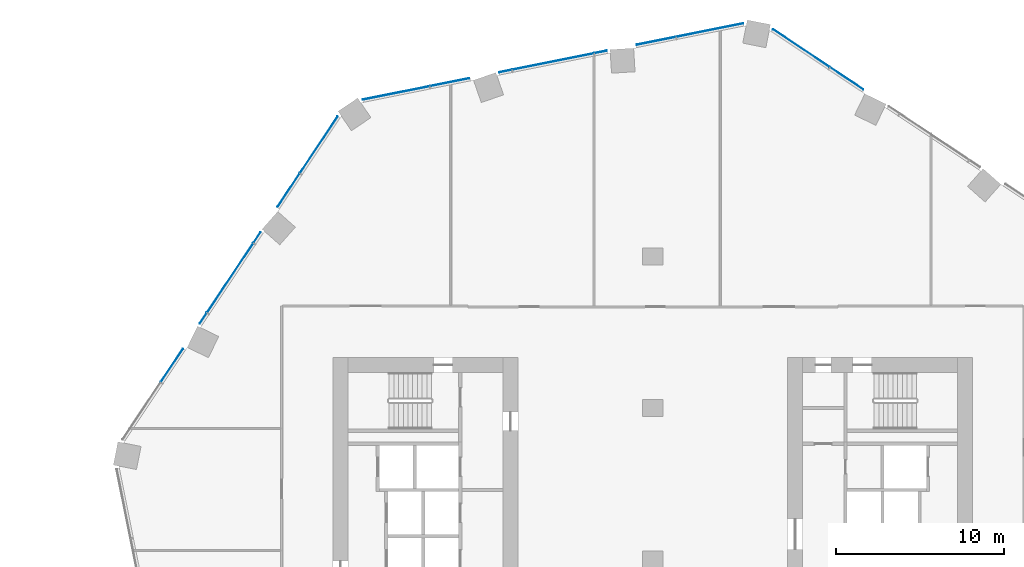
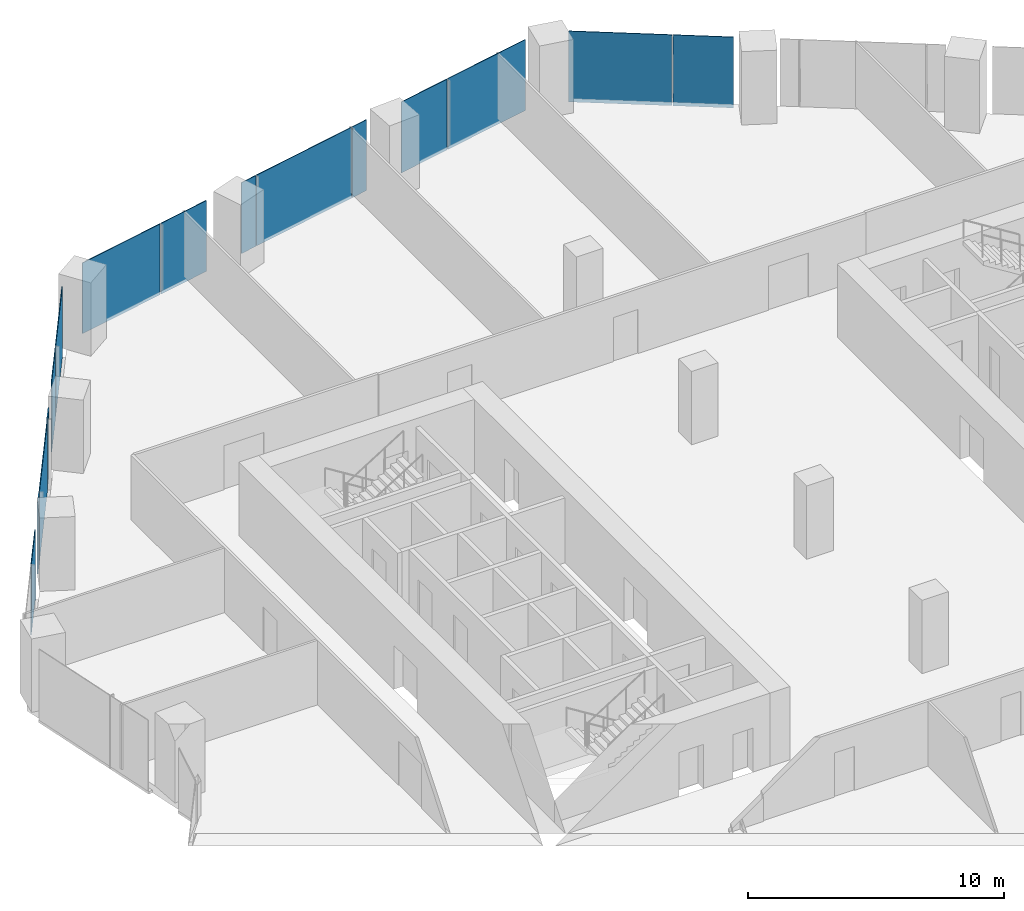
# One storey, part 24 of 38: 15 plates, 3 elements without a shape of their own.
"""IFC4 building model written with IfcOpenShell, lengths in metres."""

from ifc_helpers import new_model, si_unit, direction, frame, origin, origin_2d, place, context, subcontext, project, spatial, rectangle, extrude, material, layer, layer_set, type_object, element, aggregate, save


model = new_model("IFC4")

# Units and contexts
model_context = context("Model", 3, precision=1e-05, world=origin(), true_north=direction((0.0, 1.0)))
body_context = subcontext(model_context, "Body", "Model", "MODEL_VIEW")
ifc_project = project(units=[si_unit("LENGTHUNIT", "METRE"), si_unit("AREAUNIT", "SQUARE_METRE"), si_unit("VOLUMEUNIT", "CUBIC_METRE"), si_unit("PLANEANGLEUNIT", "RADIAN"), si_unit("MASSUNIT", "GRAM", prefix="KILO")], contexts=[model_context])

# Site, building, storey
site_placement = place(None, origin())
site = spatial("IfcSite", under=ifc_project, at=site_placement, CompositionType="ELEMENT")
building_placement = place(site_placement, origin())
building = spatial("IfcBuilding", under=site, at=building_placement, Name="Orlundy Tower", CompositionType="ELEMENT")
storey_placement = place(building_placement, frame((0.0, 0.0, 62.300048828125)))
storey = spatial("IfcBuildingStorey", under=building, at=storey_placement, Name="L14", CompositionType="ELEMENT", Elevation=62.300048828125)

# Curtain wall, plates
ifc_material_1 = material(Name="Aluminium bronze anodised", Category="aluminium")
curtain_wall_type = type_object("IfcCurtainWallType", Name="CW1 wall", PredefinedType="NOTDEFINED", material=ifc_material_1)
curtain_wall_1_placement = place(storey_placement, origin())
curtain_wall_1 = element("IfcCurtainWall", 1, at=curtain_wall_1_placement, inside=storey, type_object=curtain_wall_type, Name="CW1 run 014", PredefinedType="NOTDEFINED")
ifc_material_2 = material(Name="Tinted glass", Category="glass")
ifc_layer = layer(ifc_material_2, 0.031982421875)
ifc_layer_set = layer_set([ifc_layer], Name="CW1 glass panel 32")
plate_type = type_object("IfcPlateType", Name="CW1 glass panel 32", PredefinedType="CURTAIN_PANEL", material=ifc_layer_set)
plate_1_placement = place(storey_placement, frame((-28.57080078125, 11.5185546875, -0.280029296875), z_axis=(0.0, 0.0, 1.0), x_axis=(0.554356579774, 0.832279269513, 0.0)))
plate_1 = element("IfcPlate", 2, at=plate_1_placement, type_object=plate_type, Name="CW1 panel", PredefinedType="CURTAIN_PANEL", context=body_context, shape_type="SweptSolid", body=[
    extrude(rectangle(XDim=2.357666015625, YDim=0.031982421875, at=origin_2d()), origin(), (0.0, 0.0, 1.0), 3.3798828125),
])
plate_2_placement = place(storey_placement, frame((-26.703369140625, 14.322265625, -0.280029296875), z_axis=(0.0, 0.0, 1.0), x_axis=(0.554356579774, 0.832279269513, 0.0)))
plate_2 = element("IfcPlate", 3, at=plate_2_placement, type_object=plate_type, Name="CW1 panel", PredefinedType="CURTAIN_PANEL", context=body_context, shape_type="SweptSolid", body=[
    extrude(rectangle(XDim=0.745849609375, YDim=0.031982421875, at=origin_2d()), origin(), (0.0, 0.0, 1.0), 3.3798828125),
])
plate_3_placement = place(storey_placement, frame((-25.10498046875, 16.721923828125, -0.280029296875), z_axis=(0.0, 0.0, 1.0), x_axis=(0.554356579774, 0.832279269513, 0.0)))
plate_3 = element("IfcPlate", 4, at=plate_3_placement, type_object=plate_type, Name="CW1 panel", PredefinedType="CURTAIN_PANEL", context=body_context, shape_type="SweptSolid", body=[
    extrude(rectangle(XDim=4.92041015625, YDim=0.031982421875, at=origin_2d()), origin(), (0.0, 0.0, 1.0), 3.3798828125),
])
plate_4_placement = place(storey_placement, frame((-23.506591796875, 19.12158203125, -0.280029296875), z_axis=(0.0, 0.0, 1.0), x_axis=(0.554356579774, 0.832279269513, 0.0)))
plate_4 = element("IfcPlate", 5, at=plate_4_placement, type_object=plate_type, Name="CW1 panel", PredefinedType="CURTAIN_PANEL", context=body_context, shape_type="SweptSolid", body=[
    extrude(rectangle(XDim=0.74609375, YDim=0.031982421875, at=origin_2d()), origin(), (0.0, 0.0, 1.0), 3.3798828125),
])
plate_5_placement = place(storey_placement, frame((-21.63916015625, 21.92529296875, -0.280029296875), z_axis=(0.0, 0.0, 1.0), x_axis=(0.554356579774, 0.832279269513, 0.0)))
plate_5 = element("IfcPlate", 6, at=plate_5_placement, type_object=plate_type, Name="CW1 panel", PredefinedType="CURTAIN_PANEL", context=body_context, shape_type="SweptSolid", body=[
    extrude(rectangle(XDim=2.357421875, YDim=0.031982421875, at=origin_2d()), origin(), (0.0, 0.0, 1.0), 3.3798828125),
])
plate_6_placement = place(storey_placement, frame((-19.83837890625, 24.629150390625, -0.280029296875), z_axis=(0.0, 0.0, 1.0), x_axis=(0.554356579774, 0.832279269513, 0.0)))
plate_6 = element("IfcPlate", 7, at=plate_6_placement, type_object=plate_type, Name="CW1 panel", PredefinedType="CURTAIN_PANEL", context=body_context, shape_type="SweptSolid", body=[
    extrude(rectangle(XDim=4.039794921875, YDim=0.031982421875, at=origin_2d()), origin(), (0.0, 0.0, 1.0), 3.3798828125),
])
aggregate(curtain_wall_1, [plate_1, plate_2, plate_3, plate_4, plate_5, plate_6])

curtain_wall_2_placement = place(storey_placement, origin())
curtain_wall_2 = element("IfcCurtainWall", 8, at=curtain_wall_2_placement, inside=storey, type_object=curtain_wall_type, Name="CW1 run 015", PredefinedType="NOTDEFINED")
plate_7_placement = place(storey_placement, frame((-15.242919921875, 27.708740234375, -0.280029296875), z_axis=(0.0, 0.0, 1.0), x_axis=(0.980501672583, 0.196510737775, 0.0)))
plate_7 = element("IfcPlate", 9, at=plate_7_placement, type_object=plate_type, Name="CW1 panel", PredefinedType="CURTAIN_PANEL", context=body_context, shape_type="SweptSolid", body=[
    extrude(rectangle(XDim=4.038818359375, YDim=0.031982421875, at=origin_2d()), origin(), (0.0, 0.0, 1.0), 3.3798828125),
])
plate_8_placement = place(storey_placement, frame((-12.05810546875, 28.34716796875, -0.280029296875), z_axis=(0.0, 0.0, 1.0), x_axis=(0.980501672583, 0.196510737775, 0.0)))
plate_8 = element("IfcPlate", 10, at=plate_8_placement, type_object=plate_type, Name="CW1 panel", PredefinedType="CURTAIN_PANEL", context=body_context, shape_type="SweptSolid", body=[
    extrude(rectangle(XDim=2.357421875, YDim=0.031982421875, at=origin_2d()), origin(), (0.0, 0.0, 1.0), 3.3798828125),
])
plate_9_placement = place(storey_placement, frame((-8.7548828125, 29.00927734375, -0.280029296875), z_axis=(0.0, 0.0, 1.0), x_axis=(0.980501672583, 0.196510737775, 0.0)))
plate_9 = element("IfcPlate", 11, at=plate_9_placement, type_object=plate_type, Name="CW1 panel", PredefinedType="CURTAIN_PANEL", context=body_context, shape_type="SweptSolid", body=[
    extrude(rectangle(XDim=0.74609375, YDim=0.031982421875, at=origin_2d()), origin(), (0.0, 0.0, 1.0), 3.3798828125),
])
plate_10_placement = place(storey_placement, frame((-5.927734375, 29.57568359375, -0.280029296875), z_axis=(0.0, 0.0, 1.0), x_axis=(0.980501672583, 0.196510737775, 0.0)))
plate_10 = element("IfcPlate", 12, at=plate_10_placement, type_object=plate_type, Name="CW1 panel", PredefinedType="CURTAIN_PANEL", context=body_context, shape_type="SweptSolid", body=[
    extrude(rectangle(XDim=4.920654296875, YDim=0.031982421875, at=origin_2d()), origin(), (0.0, 0.0, 1.0), 3.3798828125),
])
plate_11_placement = place(storey_placement, frame((-3.100341796875, 30.142333984375, -0.280029296875), z_axis=(0.0, 0.0, 1.0), x_axis=(0.980501672583, 0.196510737775, 0.0)))
plate_11 = element("IfcPlate", 13, at=plate_11_placement, type_object=plate_type, Name="CW1 panel", PredefinedType="CURTAIN_PANEL", context=body_context, shape_type="SweptSolid", body=[
    extrude(rectangle(XDim=0.746337890625, YDim=0.031982421875, at=origin_2d()), origin(), (0.0, 0.0, 1.0), 3.3798828125),
])
plate_12_placement = place(storey_placement, frame((0.202880859375, 30.804443359375, -0.280029296875), z_axis=(0.0, 0.0, 1.0), x_axis=(0.980501672583, 0.196510737775, 0.0)))
plate_12 = element("IfcPlate", 14, at=plate_12_placement, type_object=plate_type, Name="CW1 panel", PredefinedType="CURTAIN_PANEL", context=body_context, shape_type="SweptSolid", body=[
    extrude(rectangle(XDim=2.357421875, YDim=0.031982421875, at=origin_2d()), origin(), (0.0, 0.0, 1.0), 3.3798828125),
])
plate_13_placement = place(storey_placement, frame((3.3876953125, 31.44287109375, -0.280029296875), z_axis=(0.0, 0.0, 1.0), x_axis=(0.980501672583, 0.196510737775, 0.0)))
plate_13 = element("IfcPlate", 15, at=plate_13_placement, type_object=plate_type, Name="CW1 panel", PredefinedType="CURTAIN_PANEL", context=body_context, shape_type="SweptSolid", body=[
    extrude(rectangle(XDim=4.039306640625, YDim=0.031982421875, at=origin_2d()), origin(), (0.0, 0.0, 1.0), 3.3798828125),
])
aggregate(curtain_wall_2, [plate_7, plate_8, plate_9, plate_10, plate_11, plate_12, plate_13])

curtain_wall_3_placement = place(storey_placement, origin())
curtain_wall_3 = element("IfcCurtainWall", 16, at=curtain_wall_3_placement, inside=storey, type_object=curtain_wall_type, Name="CW1 run 016", PredefinedType="NOTDEFINED")
plate_14_placement = place(storey_placement, frame((8.81494140625, 30.37158203125, -0.280029296875), z_axis=(0.0, 0.0, 1.0), x_axis=(0.832279269513, -0.554356579774, 0.0)))
plate_14 = element("IfcPlate", 17, at=plate_14_placement, type_object=plate_type, Name="CW1 panel", PredefinedType="CURTAIN_PANEL", context=body_context, shape_type="SweptSolid", body=[
    extrude(rectangle(XDim=4.03955078125, YDim=0.031982421875, at=origin_2d()), origin(), (0.0, 0.0, 1.0), 3.3798828125),
])
plate_15_placement = place(storey_placement, frame((11.5185546875, 28.57080078125, -0.280029296875), z_axis=(0.0, 0.0, 1.0), x_axis=(0.832279269513, -0.554356579774, 0.0)))
plate_15 = element("IfcPlate", 18, at=plate_15_placement, type_object=plate_type, Name="CW1 panel", PredefinedType="CURTAIN_PANEL", context=body_context, shape_type="SweptSolid", body=[
    extrude(rectangle(XDim=2.357666015625, YDim=0.031982421875, at=origin_2d()), origin(), (0.0, 0.0, 1.0), 3.3798828125),
])
aggregate(curtain_wall_3, [plate_14, plate_15])

save(model, "model.ifc")
